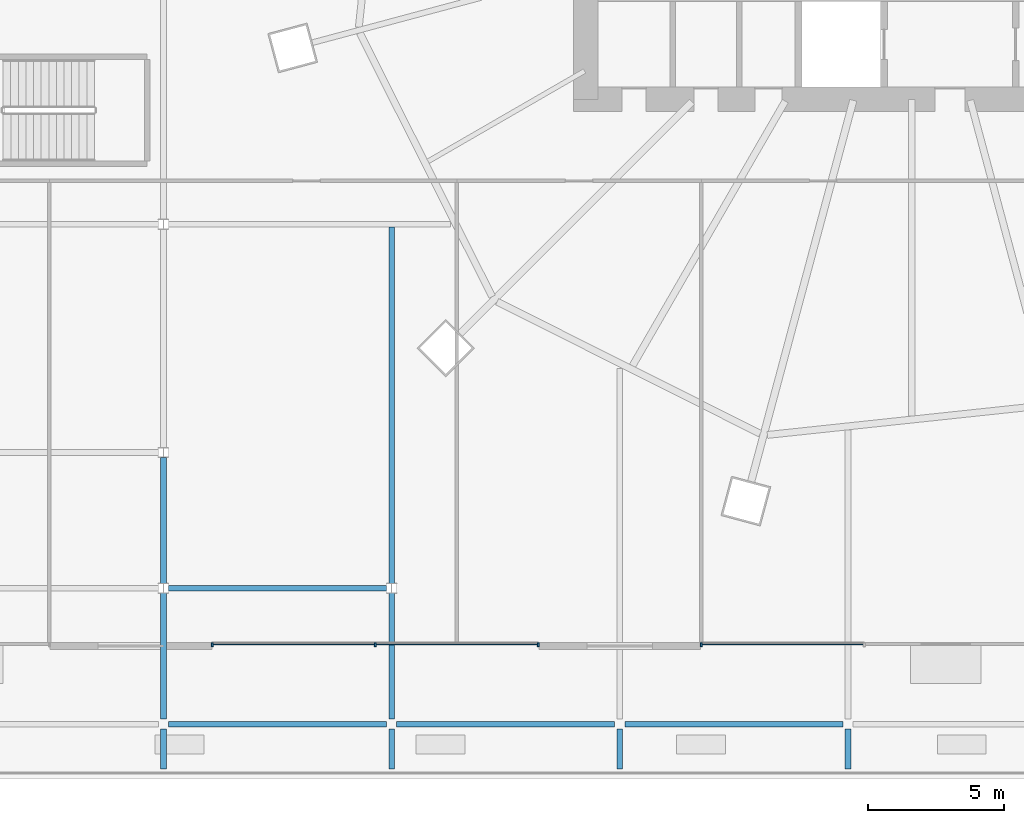
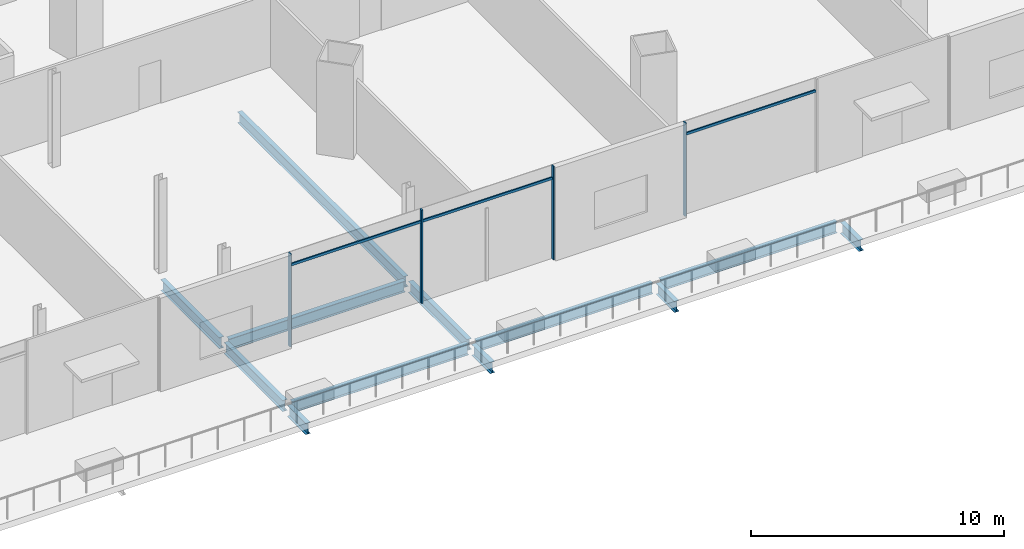
# One storey, part 21 of 52: 12 beams, 7 members, 1 element without a shape of its own.
"""IFC4 building model written with IfcOpenShell, lengths in metres."""

from ifc_helpers import new_model, si_unit, direction, frame, origin, origin_2d, place, context, subcontext, project, spatial, rectangle, i_section, extrude, material, material_profile, profile_set, type_object, element, aggregate, save


model = new_model("IFC4")

# Units and contexts
model_context = context("Model", 3, precision=1e-05, world=origin(), true_north=direction((0.0, 1.0)))
body_context = subcontext(model_context, "Body", "Model", "MODEL_VIEW")
ifc_project = project(units=[si_unit("LENGTHUNIT", "METRE"), si_unit("AREAUNIT", "SQUARE_METRE"), si_unit("VOLUMEUNIT", "CUBIC_METRE"), si_unit("PLANEANGLEUNIT", "RADIAN"), si_unit("MASSUNIT", "GRAM", prefix="KILO")], contexts=[model_context])

# Site, building, storey
site_placement = place(None, origin())
site = spatial("IfcSite", under=ifc_project, at=site_placement, CompositionType="ELEMENT")
building_placement = place(site_placement, origin())
building = spatial("IfcBuilding", under=site, at=building_placement, Name="Rimbun Link Towers", CompositionType="ELEMENT")
storey_placement = place(building_placement, frame((0.0, 0.0, 21.0)))
storey = spatial("IfcBuildingStorey", under=building, at=storey_placement, Name="L04", CompositionType="ELEMENT", Elevation=21.0)

# Curtain wall, members
ifc_material_1 = material(Name="Aluminium 6063-T6 and low-iron glass", Category="aluminium")
curtain_wall_type = type_object("IfcCurtainWallType", Name="CW3 podium shopfront", PredefinedType="NOTDEFINED", material=ifc_material_1)
curtain_wall_placement = place(storey_placement, origin())
curtain_wall = element("IfcCurtainWall", 1, at=curtain_wall_placement, inside=storey, type_object=curtain_wall_type, Name="CW3 L04 PD", PredefinedType="NOTDEFINED")
ifc_material_2 = material(Name="Aluminium 6063-T6", Category="aluminium")
ifc_material_profile_1 = material_profile(ifc_material_2, rectangle(XDim=0.14990234375, YDim=0.06005859375, at=origin_2d()), Name="MULLION 60X150")
ifc_profile_set_1 = profile_set([ifc_material_profile_1], Name="Aluminium 6063-T6")
member_type_1 = type_object("IfcMemberType", Name="CW3 mullion 60X150", PredefinedType="MULLION", material=ifc_profile_set_1)
member_1_placement = place(storey_placement, frame((6.0, -28.074951171875, 0.0), z_axis=(0.0, 0.0, 1.0), x_axis=(0.0, -1.0, 0.0)))
member_1 = element("IfcMember", 2, at=member_1_placement, type_object=member_type_1, Name="CW3 mullion", PredefinedType="MULLION", context=body_context, shape_type="SweptSolid", body=[
    extrude(rectangle(XDim=0.14990234375, YDim=0.06005859375, at=origin_2d()), origin(), (0.0, 0.0, 1.0), 4.5),
])
member_2_placement = place(storey_placement, frame((12.0, -28.074951171875, 0.0), z_axis=(0.0, 0.0, 1.0), x_axis=(0.0, -1.0, 0.0)))
member_2 = element("IfcMember", 3, at=member_2_placement, type_object=member_type_1, Name="CW3 mullion", PredefinedType="MULLION", context=body_context, shape_type="SweptSolid", body=[
    extrude(rectangle(XDim=0.14990234375, YDim=0.06005859375, at=origin_2d()), origin(), (0.0, 0.0, 1.0), 4.5),
])
member_3_placement = place(storey_placement, frame((18.0, -28.074951171875, 0.0), z_axis=(0.0, 0.0, 1.0), x_axis=(0.0, -1.0, 0.0)))
member_3 = element("IfcMember", 4, at=member_3_placement, type_object=member_type_1, Name="CW3 mullion", PredefinedType="MULLION", context=body_context, shape_type="SweptSolid", body=[
    extrude(rectangle(XDim=0.14990234375, YDim=0.06005859375, at=origin_2d()), origin(), (0.0, 0.0, 1.0), 4.5),
])
member_4_placement = place(storey_placement, frame((24.0, -28.074951171875, 0.0), z_axis=(0.0, 0.0, 1.0), x_axis=(0.0, -1.0, 0.0)))
member_4 = element("IfcMember", 5, at=member_4_placement, type_object=member_type_1, Name="CW3 mullion", PredefinedType="MULLION", context=body_context, shape_type="SweptSolid", body=[
    extrude(rectangle(XDim=0.14990234375, YDim=0.06005859375, at=origin_2d()), origin(), (0.0, 0.0, 1.0), 4.5),
])
ifc_material_3 = material(Name="Aluminium 6063-T6", Category="aluminium")
ifc_material_profile_2 = material_profile(ifc_material_3, rectangle(XDim=0.06005859375, YDim=0.1201171875, at=origin_2d()), Name="TRANSOM 60X120")
ifc_profile_set_2 = profile_set([ifc_material_profile_2], Name="Aluminium 6063-T6")
member_type_2 = type_object("IfcMemberType", Name="CW3 transom 60X120", PredefinedType="USERDEFINED", material=ifc_profile_set_2)
member_5_placement = place(storey_placement, frame((11.969970703125, -28.053955078125, 3.89990234375), z_axis=(-1.0, 0.0, 0.0), x_axis=(0.0, -1.0, 0.0)))
member_5 = element("IfcMember", 6, at=member_5_placement, type_object=member_type_2, Name="CW3 transom", ObjectType="TRANSOM", PredefinedType="USERDEFINED", context=body_context, shape_type="SweptSolid", body=[
    extrude(rectangle(XDim=0.06005859375, YDim=0.1201171875, at=origin_2d()), origin(), (0.0, 0.0, 1.0), 5.93994140625),
])
member_6_placement = place(storey_placement, frame((17.969970703125, -28.053955078125, 3.89990234375), z_axis=(-1.0, 0.0, 0.0), x_axis=(0.0, -1.0, 0.0)))
member_6 = element("IfcMember", 7, at=member_6_placement, type_object=member_type_2, Name="CW3 transom", ObjectType="TRANSOM", PredefinedType="USERDEFINED", context=body_context, shape_type="SweptSolid", body=[
    extrude(rectangle(XDim=0.06005859375, YDim=0.1201171875, at=origin_2d()), origin(), (0.0, 0.0, 1.0), 5.93994140625),
])
member_7_placement = place(storey_placement, frame((29.969970703125, -28.053955078125, 3.89990234375), z_axis=(-1.0, 0.0, 0.0), x_axis=(0.0, -1.0, 0.0)))
member_7 = element("IfcMember", 8, at=member_7_placement, type_object=member_type_2, Name="CW3 transom", ObjectType="TRANSOM", PredefinedType="USERDEFINED", context=body_context, shape_type="SweptSolid", body=[
    extrude(rectangle(XDim=0.06005859375, YDim=0.1201171875, at=origin_2d()), origin(), (0.0, 0.0, 1.0), 5.93994140625),
])
aggregate(curtain_wall, [member_1, member_2, member_3, member_4, member_5, member_6, member_7])

# Beams
ifc_material_4 = material(Name="Steel S355J2", Category="steel")
ifc_material_profile_3 = material_profile(ifc_material_4, i_section(OverallWidth=0.209228515625, OverallDepth=0.533203125, WebThickness=0.010009765625, FlangeThickness=0.015625, at=origin_2d()), Name="UB 533x210x92")
ifc_profile_set_3 = profile_set([ifc_material_profile_3], Name="Steel S355J2")
beam_type = type_object("IfcBeamType", Name="UB 533x210x92", PredefinedType="BEAM", material=ifc_profile_set_3)
for number, where, z_axis, x_axis, name in (
    (9, (4.38525390625, -31.0, -0.56640625), (1.0, 0.0, 0.0), (0.0, 1.0, 0.0), "Grid beam L04 -31.0"),
    (10, (12.78515625, -31.0, -0.56640625), (1.0, 0.0, 0.0), (0.0, 1.0, 0.0), "Grid beam L04 -31.0"),
    (11, (21.185302734375, -31.0, -0.56640625), (1.0, 0.0, 0.0), (0.0, 1.0, 0.0), "Grid beam L04 -31.0"),
    (12, (4.38525390625, -26.0, -0.56640625), (1.0, 0.0, 0.0), (0.0, 1.0, 0.0), "Grid beam L04 -26.0"),
):
    element("IfcBeam", number, at=place(storey_placement, frame(where, z_axis=z_axis, x_axis=x_axis)), inside=storey, type_object=beam_type, Name=name, PredefinedType="BEAM", context=body_context, shape_type="SweptSolid", body=[
        extrude(i_section(OverallWidth=0.209228515625, OverallDepth=0.533203125, WebThickness=0.010009765625, FlangeThickness=0.015625, at=origin_2d()), origin(), (0.0, 0.0, 1.0), 8.029541015625),
    ])
beam_1_placement = place(storey_placement, frame((4.199951171875, -32.649169921875, -0.56640625), z_axis=(0.0, 1.0, 0.0), x_axis=(-1.0, 0.0, 0.0)))
element("IfcBeam", 13, at=beam_1_placement, inside=storey, type_object=beam_type, Name="Grid beam L04 +4.2", PredefinedType="BEAM", context=body_context, shape_type="SweptSolid", body=[
    extrude(i_section(OverallWidth=0.209228515625, OverallDepth=0.533203125, WebThickness=0.010009765625, FlangeThickness=0.015625, at=origin_2d()), origin(), (0.0, 0.0, 1.0), 1.46826171875),
])
for number, where, z_axis, x_axis, name in (
    (14, (4.199951171875, -30.819091796875, -0.56640625), (0.0, 1.0, 0.0), (-1.0, 0.0, 0.0), "Grid beam L04 +4.2"),
    (15, (4.199951171875, -25.819091796875, -0.56640625), (0.0, 1.0, 0.0), (-1.0, 0.0, 0.0), "Grid beam L04 +4.2"),
):
    element("IfcBeam", number, at=place(storey_placement, frame(where, z_axis=z_axis, x_axis=x_axis)), inside=storey, type_object=beam_type, Name=name, PredefinedType="BEAM", context=body_context, shape_type="SweptSolid", body=[
        extrude(i_section(OverallWidth=0.209228515625, OverallDepth=0.533203125, WebThickness=0.010009765625, FlangeThickness=0.015625, at=origin_2d()), origin(), (0.0, 0.0, 1.0), 4.63818359375),
    ])
beam_2_placement = place(storey_placement, frame((12.60009765625, -32.649169921875, -0.56640625), z_axis=(0.0, 1.0, 0.0), x_axis=(-1.0, 0.0, 0.0)))
element("IfcBeam", 16, at=beam_2_placement, inside=storey, type_object=beam_type, Name="Grid beam L04 +12.6", PredefinedType="BEAM", context=body_context, shape_type="SweptSolid", body=[
    extrude(i_section(OverallWidth=0.209228515625, OverallDepth=0.533203125, WebThickness=0.010009765625, FlangeThickness=0.015625, at=origin_2d()), origin(), (0.0, 0.0, 1.0), 1.46826171875),
])
beam_3_placement = place(storey_placement, frame((12.60009765625, -30.819091796875, -0.56640625), z_axis=(0.0, 1.0, 0.0), x_axis=(-1.0, 0.0, 0.0)))
element("IfcBeam", 17, at=beam_3_placement, inside=storey, type_object=beam_type, Name="Grid beam L04 +12.6", PredefinedType="BEAM", context=body_context, shape_type="SweptSolid", body=[
    extrude(i_section(OverallWidth=0.209228515625, OverallDepth=0.533203125, WebThickness=0.010009765625, FlangeThickness=0.015625, at=origin_2d()), origin(), (0.0, 0.0, 1.0), 4.63818359375),
])
beam_4_placement = place(storey_placement, frame((12.60009765625, -25.819091796875, -0.56640625), z_axis=(0.0, 1.0, 0.0), x_axis=(-1.0, 0.0, 0.0)))
element("IfcBeam", 18, at=beam_4_placement, inside=storey, type_object=beam_type, Name="Grid beam L04 +12.6", PredefinedType="BEAM", context=body_context, shape_type="SweptSolid", body=[
    extrude(i_section(OverallWidth=0.209228515625, OverallDepth=0.533203125, WebThickness=0.010009765625, FlangeThickness=0.015625, at=origin_2d()), origin(), (0.0, 0.0, 1.0), 13.114501953125),
])
for number, where, z_axis, x_axis, name in (
    (19, (21.0, -32.649169921875, -0.56640625), (0.0, 1.0, 0.0), (-1.0, 0.0, 0.0), "Grid beam L04 +21.0"),
    (20, (29.39990234375, -32.649169921875, -0.56640625), (0.0, 1.0, 0.0), (-1.0, 0.0, 0.0), "Grid beam L04 +29.4"),
):
    element("IfcBeam", number, at=place(storey_placement, frame(where, z_axis=z_axis, x_axis=x_axis)), inside=storey, type_object=beam_type, Name=name, PredefinedType="BEAM", context=body_context, shape_type="SweptSolid", body=[
        extrude(i_section(OverallWidth=0.209228515625, OverallDepth=0.533203125, WebThickness=0.010009765625, FlangeThickness=0.015625, at=origin_2d()), origin(), (0.0, 0.0, 1.0), 1.46826171875),
    ])

save(model, "model.ifc")
